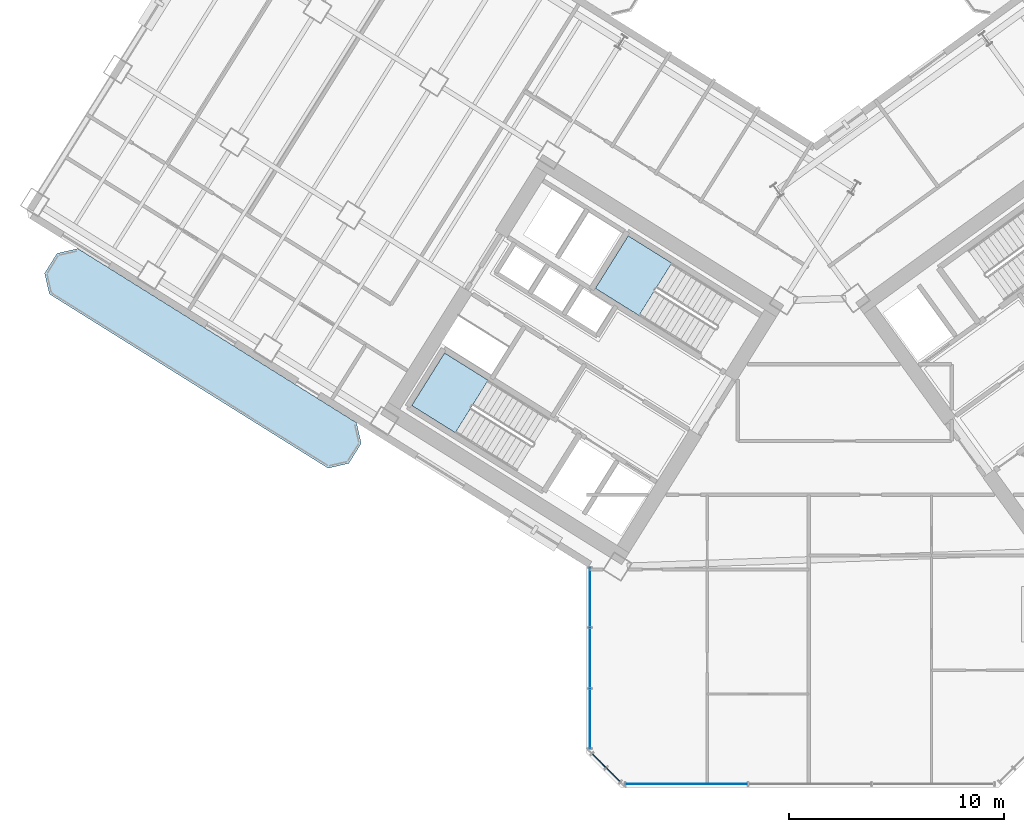
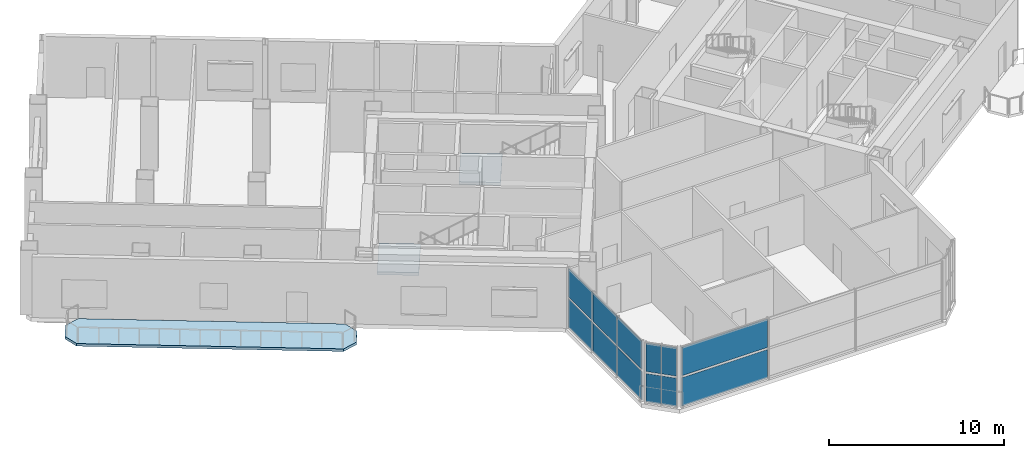
# One storey, part 8 of 19: 12 plates, 3 slabs, 5 elements without a shape of their own.
"""IFC4 building model written with IfcOpenShell, lengths in metres."""

from ifc_helpers import new_model, si_unit, direction, frame, origin, origin_2d, place, context, subcontext, project, spatial, polyline, rectangle, outline, extrude, source, transform, mapped, material, layer, layer_set, type_object, element, aggregate, save


model = new_model("IFC4")

# Units and contexts
model_context = context("Model", 3, precision=1e-05, world=origin(), true_north=direction((0.0, 1.0)))
body_context = subcontext(model_context, "Body", "Model", "MODEL_VIEW")
ifc_project = project(units=[si_unit("LENGTHUNIT", "METRE"), si_unit("AREAUNIT", "SQUARE_METRE"), si_unit("VOLUMEUNIT", "CUBIC_METRE"), si_unit("PLANEANGLEUNIT", "RADIAN"), si_unit("MASSUNIT", "GRAM", prefix="KILO")], contexts=[model_context])

# Site, building, storey
site_placement = place(None, origin())
site = spatial("IfcSite", under=ifc_project, at=site_placement, CompositionType="ELEMENT")
building_placement = place(site_placement, origin())
building = spatial("IfcBuilding", under=site, at=building_placement, Name="Tlacorven Tower", CompositionType="ELEMENT")
storey_placement = place(building_placement, frame((0.0, 0.0, 76.5)))
storey = spatial("IfcBuildingStorey", under=building, at=storey_placement, Name="L19", CompositionType="ELEMENT", Elevation=76.5)

# Slab
ifc_material_1 = material(Name="Precast concrete C45/55", Category="concrete")
ifc_layer_1 = layer(ifc_material_1, 0.179931640625)
ifc_layer_set_1 = layer_set([ifc_layer_1], Name="Precast concrete C45/55")
slab_type_1 = type_object("IfcSlabType", Name="SL-BAL-180", PredefinedType="USERDEFINED", material=ifc_layer_set_1)
slab_1_placement = place(storey_placement, frame((0.0, 0.0, -0.179931640625)))
element("IfcSlab", 1, at=slab_1_placement, inside=storey, type_object=slab_type_1, Name="L19 West Wing Balcony Ribbon OUT", ObjectType="BALCONY SLAB", PredefinedType="USERDEFINED", context=body_context, shape_type="SweptSolid", body=[
    extrude(outline(polyline([(20.88671875, 18.78271484375), (7.91162109375, 26.890625), (6.947021484375, 26.66796875), (6.366943359375, 25.7392578125), (6.589599609375, 24.774658203125), (19.564697265625, 16.6669921875), (20.529296875, 16.8896484375), (21.109375, 17.818115234375), (20.88671875, 18.78271484375)])), origin(), (0.0, 0.0, 1.0), 0.179931640625),
])

# Stair, slab
ifc_material_2 = material(Name="Concrete C40/50", Category="concrete")
stair_type = type_object("IfcStairType", Name="ST-CORE-DLG", PredefinedType="HALF_TURN_STAIR", material=ifc_material_2)
stair_1_placement = place(storey_placement, origin())
stair_1 = element("IfcStair", 2, at=stair_1_placement, inside=storey, type_object=stair_type, Name="L19 Protected Exit Stair West 1", PredefinedType="HALF_TURN_STAIR")
ifc_layer_2 = layer(ifc_material_2, 0.199951171875)
ifc_layer_set_2 = layer_set([ifc_layer_2], Name="Concrete C40/50")
slab_type_2 = type_object("IfcSlabType", Name="SL-LND-200", PredefinedType="LANDING", material=ifc_layer_set_2)
slab_2_placement = place(storey_placement, frame((0.0, 0.0, 2.050048828125)))
slab_2 = element("IfcSlab", 3, at=slab_2_placement, type_object=slab_type_2, Name="ST-W1 landing 1", PredefinedType="LANDING", context=body_context, shape_type="SweptSolid", body=[
    extrude(outline(polyline([(27.01611328125, 20.76025390625), (24.9892578125, 22.02685546875), (23.463134765625, 19.58447265625), (25.489990234375, 18.31787109375), (27.01611328125, 20.76025390625)])), origin(), (0.0, 0.0, 1.0), 0.199951171875),
])
aggregate(stair_1, [slab_2])

stair_2_placement = place(storey_placement, origin())
stair_2 = element("IfcStair", 4, at=stair_2_placement, inside=storey, type_object=stair_type, Name="L19 Protected Exit Stair West 2", PredefinedType="HALF_TURN_STAIR")
slab_3_placement = place(storey_placement, frame((0.0, 0.0, 2.050048828125)))
slab_3 = element("IfcSlab", 5, at=slab_3_placement, type_object=slab_type_2, Name="ST-W2 landing 1", PredefinedType="LANDING", context=body_context, shape_type="SweptSolid", body=[
    extrude(outline(polyline([(35.567626953125, 26.218017578125), (33.540771484375, 27.484375), (32.0146484375, 25.0419921875), (34.04150390625, 23.775634765625), (35.567626953125, 26.218017578125)])), origin(), (0.0, 0.0, 1.0), 0.199951171875),
])
aggregate(stair_2, [slab_3])

# Curtain wall, plates
ifc_material_3 = material(Name="Dark solar low-E double glazing in aluminium frame", Category="aluminium")
curtain_wall_type = type_object("IfcCurtainWallType", Name="CW-COM-AMENITY", PredefinedType="USERDEFINED", material=ifc_material_3)
curtain_wall_1_placement = place(storey_placement, origin())
curtain_wall_1 = element("IfcCurtainWall", 6, at=curtain_wall_1_placement, inside=storey, type_object=curtain_wall_type, Name="L19 CW-COM-AMENITY Curtain Wall 105", ObjectType="UNITISED CURTAIN WALL", PredefinedType="USERDEFINED")
ifc_material_4 = material(Name="Dark solar acoustic laminated low-E glazing", Category="glass")
ifc_layer_3 = layer(ifc_material_4, 0.035888671875)
ifc_layer_set_3 = layer_set([ifc_layer_3], Name="Dark solar acoustic laminated low-E glazing")
plate_type = type_object("IfcPlateType", Name="CWP-01", PredefinedType="CURTAIN_PANEL", material=ifc_layer_set_3)
shared_shape_1 = source(origin(), body_context, "Body", "SweptSolid", [
    extrude(rectangle(XDim=0.878173828125, YDim=0.035888671875, at=origin_2d()), origin(), (0.0, 0.0, 1.0), 1.98291015625),
])
plate_1_placement = place(storey_placement, frame((32.842041015625, 2.38427734375, 0.071044921875), z_axis=(0.0, 0.0, 1.0), x_axis=(-0.707106781187, 0.707106781187, 0.0)))
plate_1 = element("IfcPlate", 7, at=plate_1_placement, type_object=plate_type, Name="CW-L19-105 Glazing Panel 1", PredefinedType="CURTAIN_PANEL", context=body_context, shape_type="MappedRepresentation", body=[
    mapped(shared_shape_1, transform((0.0, 0.0, 0.0), scale=1.0)),
])
plate_2_placement = place(storey_placement, frame((32.842041015625, 2.38427734375, 2.196044921875), z_axis=(0.0, 0.0, 1.0), x_axis=(-0.707106781187, 0.707106781187, 0.0)))
plate_2 = element("IfcPlate", 8, at=plate_2_placement, type_object=plate_type, Name="CW-L19-105 Glazing Panel 2", PredefinedType="CURTAIN_PANEL", context=body_context, shape_type="MappedRepresentation", body=[
    mapped(shared_shape_1, transform((0.0, 0.0, 0.0), scale=1.0)),
])
plate_3_placement = place(storey_placement, frame((32.184326171875, 3.0419921875, 0.071044921875), z_axis=(0.0, 0.0, 1.0), x_axis=(-0.707106781187, 0.707106781187, 0.0)))
plate_3 = element("IfcPlate", 9, at=plate_3_placement, type_object=plate_type, Name="CW-L19-105 Glazing Panel 3", PredefinedType="CURTAIN_PANEL", context=body_context, shape_type="MappedRepresentation", body=[
    mapped(shared_shape_1, transform((0.0, 0.0, 0.0), scale=1.0)),
])
plate_4_placement = place(storey_placement, frame((32.184326171875, 3.0419921875, 2.196044921875), z_axis=(0.0, 0.0, 1.0), x_axis=(-0.707106781187, 0.707106781187, 0.0)))
plate_4 = element("IfcPlate", 10, at=plate_4_placement, type_object=plate_type, Name="CW-L19-105 Glazing Panel 4", PredefinedType="CURTAIN_PANEL", context=body_context, shape_type="MappedRepresentation", body=[
    mapped(shared_shape_1, transform((0.0, 0.0, 0.0), scale=1.0)),
])
aggregate(curtain_wall_1, [plate_1, plate_2, plate_3, plate_4])

curtain_wall_2_placement = place(storey_placement, origin())
curtain_wall_2 = element("IfcCurtainWall", 11, at=curtain_wall_2_placement, inside=storey, type_object=curtain_wall_type, Name="L19 CW-COM-AMENITY Curtain Wall 104", ObjectType="UNITISED CURTAIN WALL", PredefinedType="USERDEFINED")
shared_shape_2 = source(origin(), body_context, "Body", "SweptSolid", [
    extrude(rectangle(XDim=5.668701171875, YDim=0.035888671875, at=origin_2d()), origin(), (0.0, 0.0, 1.0), 1.98291015625),
])
plate_5_placement = place(storey_placement, frame((36.26171875, 1.9599609375, 0.071044921875), z_axis=(0.0, 0.0, 1.0), x_axis=(-1.0, 0.0, 0.0)))
plate_5 = element("IfcPlate", 12, at=plate_5_placement, type_object=plate_type, Name="CW-L19-104 Glazing Panel 5", PredefinedType="CURTAIN_PANEL", context=body_context, shape_type="MappedRepresentation", body=[
    mapped(shared_shape_2, transform((0.0, 0.0, 0.0), scale=1.0)),
])
plate_6_placement = place(storey_placement, frame((36.26171875, 1.9599609375, 2.196044921875), z_axis=(0.0, 0.0, 1.0), x_axis=(-1.0, 0.0, 0.0)))
plate_6 = element("IfcPlate", 13, at=plate_6_placement, type_object=plate_type, Name="CW-L19-104 Glazing Panel 6", PredefinedType="CURTAIN_PANEL", context=body_context, shape_type="MappedRepresentation", body=[
    mapped(shared_shape_2, transform((0.0, 0.0, 0.0), scale=1.0)),
])
aggregate(curtain_wall_2, [plate_5, plate_6])

curtain_wall_3_placement = place(storey_placement, origin())
curtain_wall_3 = element("IfcCurtainWall", 14, at=curtain_wall_3_placement, inside=storey, type_object=curtain_wall_type, Name="L19 CW-COM-AMENITY Curtain Wall 106", ObjectType="UNITISED CURTAIN WALL", PredefinedType="USERDEFINED")
shared_shape_3 = source(origin(), body_context, "Body", "SweptSolid", [
    extrude(rectangle(XDim=2.751953125, YDim=0.035888671875, at=origin_2d()), origin(), (0.0, 0.0, 1.0), 1.98291015625),
])
plate_7_placement = place(storey_placement, frame((31.760009765625, 5.003173828125, 0.071044921875), z_axis=(0.0, 0.0, 1.0), x_axis=(0.0, 1.0, 0.0)))
plate_7 = element("IfcPlate", 15, at=plate_7_placement, type_object=plate_type, Name="CW-L19-106 Glazing Panel 1", PredefinedType="CURTAIN_PANEL", context=body_context, shape_type="MappedRepresentation", body=[
    mapped(shared_shape_3, transform((0.0, 0.0, 0.0), scale=1.0)),
])
plate_8_placement = place(storey_placement, frame((31.760009765625, 5.003173828125, 2.196044921875), z_axis=(0.0, 0.0, 1.0), x_axis=(0.0, 1.0, 0.0)))
plate_8 = element("IfcPlate", 16, at=plate_8_placement, type_object=plate_type, Name="CW-L19-106 Glazing Panel 2", PredefinedType="CURTAIN_PANEL", context=body_context, shape_type="MappedRepresentation", body=[
    mapped(shared_shape_3, transform((0.0, 0.0, 0.0), scale=1.0)),
])
plate_9_placement = place(storey_placement, frame((31.760009765625, 10.64599609375, 0.071044921875), z_axis=(0.0, 0.0, 1.0), x_axis=(0.0, 1.0, 0.0)))
plate_9 = element("IfcPlate", 17, at=plate_9_placement, type_object=plate_type, Name="CW-L19-106 Glazing Panel 5", PredefinedType="CURTAIN_PANEL", context=body_context, shape_type="MappedRepresentation", body=[
    mapped(shared_shape_3, transform((0.0, 0.0, 0.0), scale=1.0)),
])
plate_10_placement = place(storey_placement, frame((31.760009765625, 10.64599609375, 2.196044921875), z_axis=(0.0, 0.0, 1.0), x_axis=(0.0, 1.0, 0.0)))
plate_10 = element("IfcPlate", 18, at=plate_10_placement, type_object=plate_type, Name="CW-L19-106 Glazing Panel 6", PredefinedType="CURTAIN_PANEL", context=body_context, shape_type="MappedRepresentation", body=[
    mapped(shared_shape_3, transform((0.0, 0.0, 0.0), scale=1.0)),
])
shared_shape_4 = source(origin(), body_context, "Body", "SweptSolid", [
    extrude(rectangle(XDim=2.786865234375, YDim=0.035888671875, at=origin_2d()), origin(), (0.0, 0.0, 1.0), 1.98291015625),
])
plate_11_placement = place(storey_placement, frame((31.760009765625, 7.82470703125, 0.071044921875), z_axis=(0.0, 0.0, 1.0), x_axis=(0.0, 1.0, 0.0)))
plate_11 = element("IfcPlate", 19, at=plate_11_placement, type_object=plate_type, Name="CW-L19-106 Glazing Panel 3", PredefinedType="CURTAIN_PANEL", context=body_context, shape_type="MappedRepresentation", body=[
    mapped(shared_shape_4, transform((0.0, 0.0, 0.0), scale=1.0)),
])
plate_12_placement = place(storey_placement, frame((31.760009765625, 7.82470703125, 2.196044921875), z_axis=(0.0, 0.0, 1.0), x_axis=(0.0, 1.0, 0.0)))
plate_12 = element("IfcPlate", 20, at=plate_12_placement, type_object=plate_type, Name="CW-L19-106 Glazing Panel 4", PredefinedType="CURTAIN_PANEL", context=body_context, shape_type="MappedRepresentation", body=[
    mapped(shared_shape_4, transform((0.0, 0.0, 0.0), scale=1.0)),
])
aggregate(curtain_wall_3, [plate_7, plate_8, plate_11, plate_12, plate_9, plate_10])

save(model, "model.ifc")
